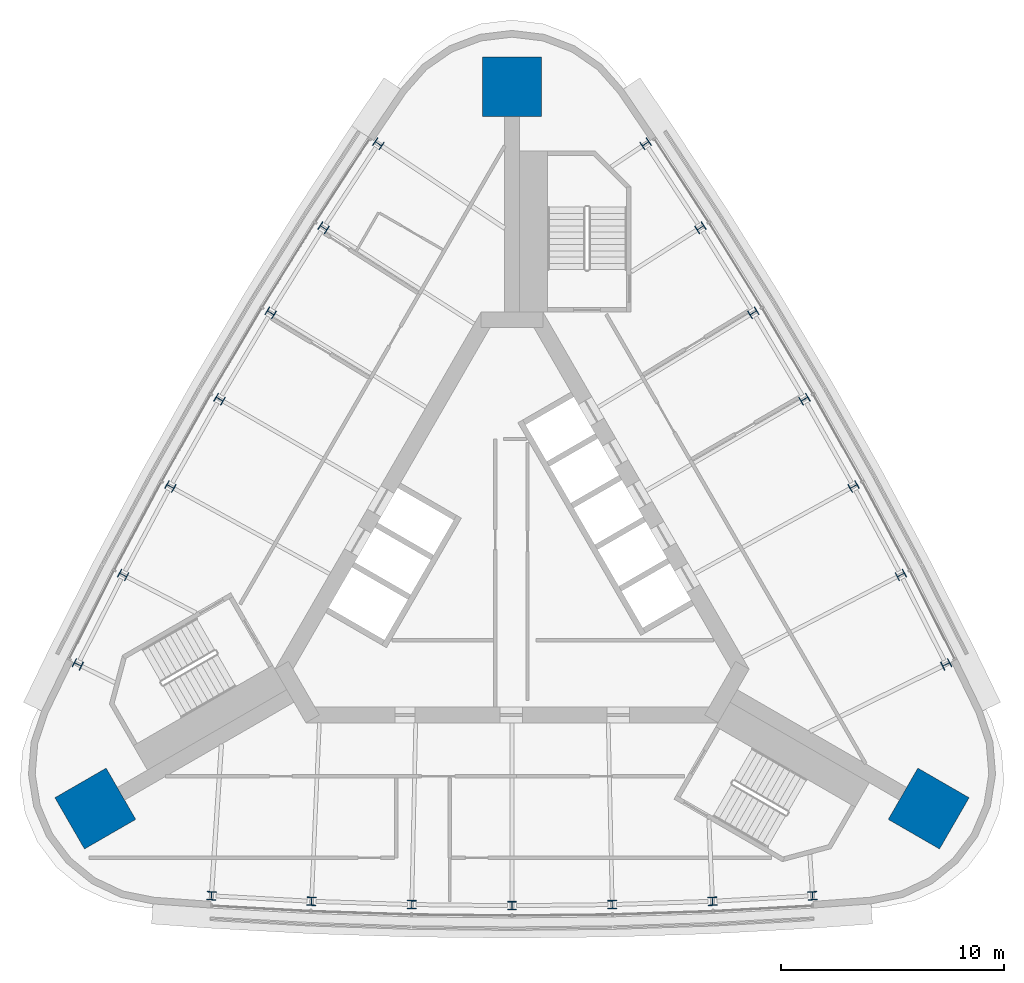
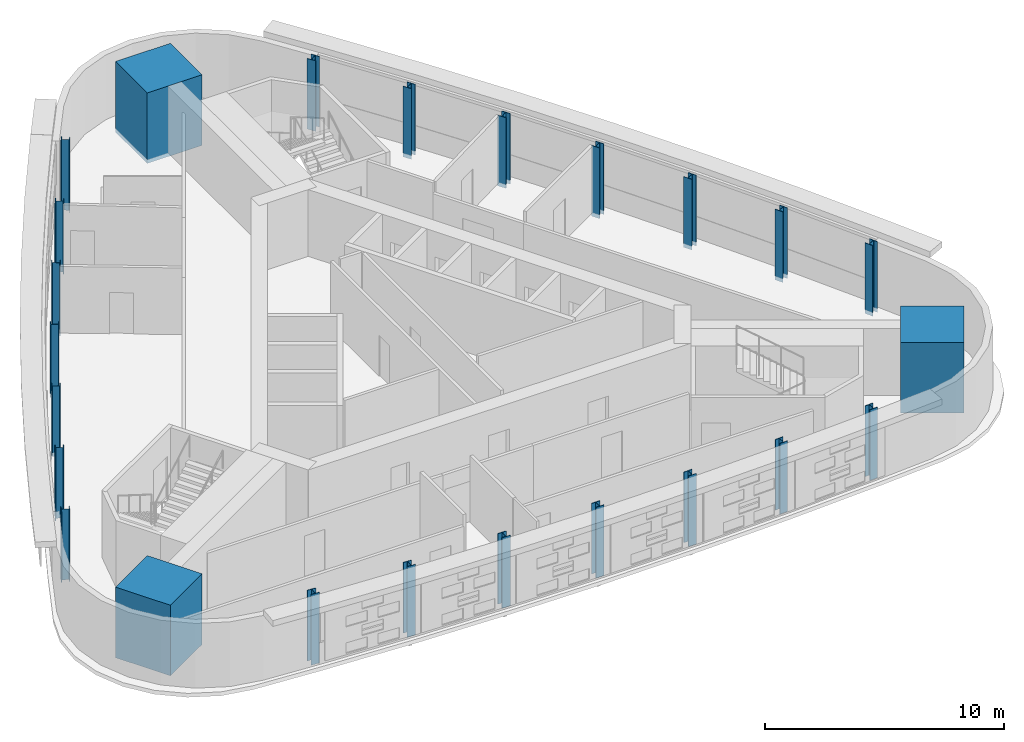
# One storey, part 1 of 11: 24 columns.
"""IFC4 building model written with IfcOpenShell, lengths in metres."""

from ifc_helpers import new_model, si_unit, direction, frame, origin, origin_2d, place, context, subcontext, project, spatial, rectangle, i_section, extrude, material, material_profile, profile_set, type_object, element, save


model = new_model("IFC4")

# Units and contexts
model_context = context("Model", 3, precision=1e-05, world=origin(), true_north=direction((0.0, 1.0)))
body_context = subcontext(model_context, "Body", "Model", "MODEL_VIEW")
ifc_project = project(units=[si_unit("LENGTHUNIT", "METRE"), si_unit("AREAUNIT", "SQUARE_METRE"), si_unit("VOLUMEUNIT", "CUBIC_METRE"), si_unit("PLANEANGLEUNIT", "RADIAN"), si_unit("MASSUNIT", "GRAM", prefix="KILO")], contexts=[model_context])

# Site, building, storey
site_placement = place(None, origin())
site = spatial("IfcSite", under=ifc_project, at=site_placement, CompositionType="ELEMENT")
building_placement = place(site_placement, origin())
building = spatial("IfcBuilding", under=site, at=building_placement, Name="Noor Cloister Tower", CompositionType="ELEMENT")
storey_placement = place(building_placement, frame((0.0, 0.0, 203.10009765625)))
storey = spatial("IfcBuildingStorey", under=building, at=storey_placement, Name="L52", CompositionType="ELEMENT", Elevation=203.10009765625)

# Columns
ifc_material_1 = material(Name="Steel ASTM A992 Gr 50", Category="steel")
ifc_material_profile_1 = material_profile(ifc_material_1, i_section(OverallWidth=0.39404296875, OverallDepth=0.3759765625, WebThickness=0.017333984375, FlangeThickness=0.027587890625, FilletRadius=0.01513671875, at=origin_2d()), Name="W360x216")
ifc_profile_set_1 = profile_set([ifc_material_profile_1], Name="Steel ASTM A992 Gr 50")
column_type_1 = type_object("IfcColumnType", Name="Column W360x216", PredefinedType="COLUMN", material=ifc_profile_set_1)
for number, where, z_axis, x_axis, name in (
    (1, (-5.981689453125, 18.989013671875, -0.2001953125), (0.0, 0.0, 1.0), (-0.55575688137, -0.831344867555, 0.0), "Column NW 01 L52"),
    (2, (-8.434814453125, 15.231201171875, -0.2001953125), (0.0, 0.0, 1.0), (-0.537425828173, -0.843311021636, 0.0), "Column NW 02 L52"),
    (3, (-10.80517578125, 11.420166015625, -0.2001953125), (0.0, 0.0, 1.0), (-0.51883723173, -0.854873047283, 0.0), "Column NW 03 L52"),
    (4, (-13.091552734375, 7.558349609375, -0.2001953125), (0.0, 0.0, 1.0), (-0.5, -0.866025403784, 0.0), "Column NW 04 L52"),
    (5, (-15.292724609375, 3.6474609375, -0.2001953125), (0.0, 0.0, 1.0), (-0.480923160093, -0.876762746749, 0.0), "Column NW 05 L52"),
    (6, (-17.407958984375, -0.310791015625, -0.2001953125), (0.0, 0.0, 1.0), (-0.461615853941, -0.887079930666, 0.0), "Column NW 06 L52"),
    (7, (-19.43603515625, -4.314208984375, -0.2001953125), (0.0, 0.0, 1.0), (-0.442087333923, -0.896972011372, 0.0), "Column NW 07 L52"),
    (8, (-13.4541015625, -14.6748046875, -0.2001953125), (0.0, 0.0, 1.0), (0.997844215293, -0.065627143817, 0.0), "Column S 01 L52"),
    (9, (-8.97314453125, -14.92041015625, -0.2001953125), (0.0, 0.0, 1.0), (0.999041682115, -0.04376890903, 0.0), "Column S 02 L52"),
    (10, (-4.487548828125, -15.067626953125, -0.2001953125), (0.0, 0.0, 1.0), (0.999760391823, -0.021889699466, 0.0), "Column S 03 L52"),
    (11, (0.0, -15.116943359375, -0.2001953125), (0.0, 0.0, 1.0), (1.0, 0.0, 0.0), "Column S 04 L52"),
    (12, (4.487548828125, -15.067626953125, -0.2001953125), (0.0, 0.0, 1.0), (0.999760391823, 0.021889699466, 0.0), "Column S 05 L52"),
    (13, (8.97314453125, -14.92041015625, -0.2001953125), (0.0, 0.0, 1.0), (0.999041682115, 0.04376890903, 0.0), "Column S 06 L52"),
    (14, (13.4541015625, -14.6748046875, -0.2001953125), (0.0, 0.0, 1.0), (0.997844215293, 0.065627143817, 0.0), "Column S 07 L52"),
    (15, (19.43603515625, -4.314208984375, -0.2001953125), (0.0, 0.0, 1.0), (-0.442087333923, 0.896972011372, 0.0), "Column NE 01 L52"),
    (16, (17.407958984375, -0.310791015625, -0.2001953125), (0.0, 0.0, 1.0), (-0.461615853941, 0.887079930666, 0.0), "Column NE 02 L52"),
    (17, (15.292724609375, 3.6474609375, -0.2001953125), (0.0, 0.0, 1.0), (-0.480923160093, 0.876762746749, 0.0), "Column NE 03 L52"),
    (18, (13.091552734375, 7.558349609375, -0.2001953125), (0.0, 0.0, 1.0), (-0.5, 0.866025403784, 0.0), "Column NE 04 L52"),
    (19, (10.80517578125, 11.420166015625, -0.2001953125), (0.0, 0.0, 1.0), (-0.51883723173, 0.854873047283, 0.0), "Column NE 05 L52"),
    (20, (8.434814453125, 15.231201171875, -0.2001953125), (0.0, 0.0, 1.0), (-0.537425828173, 0.843311021636, 0.0), "Column NE 06 L52"),
    (21, (5.981689453125, 18.989013671875, -0.2001953125), (0.0, 0.0, 1.0), (-0.55575688137, 0.831344867555, 0.0), "Column NE 07 L52"),
):
    element("IfcColumn", number, at=place(storey_placement, frame(where, z_axis=z_axis, x_axis=x_axis)), inside=storey, type_object=column_type_1, Name=name, PredefinedType="COLUMN", context=body_context, shape_type="SweptSolid", body=[
        extrude(i_section(OverallWidth=0.39404296875, OverallDepth=0.3759765625, WebThickness=0.017333984375, FlangeThickness=0.027587890625, FilletRadius=0.01513671875, at=origin_2d()), origin(), (0.0, 0.0, 1.0), 3.60009765625),
    ])
ifc_material_2 = material(Name="Concrete C70/85", Category="concrete")
ifc_material_profile_2 = material_profile(ifc_material_2, rectangle(XDim=2.64990234375, YDim=2.64990234375, at=origin_2d()), Name="RC 2650x2650")
ifc_profile_set_2 = profile_set([ifc_material_profile_2], Name="Concrete C70/85")
column_type_2 = type_object("IfcColumnType", Name="Corner pier 2650 x 2650 C70/85", PredefinedType="COLUMN", material=ifc_profile_set_2)
for number, where, z_axis, x_axis, name in (
    (22, (0.0, 21.5390625, -0.2001953125), (0.0, 0.0, 1.0), (0.0, 1.0, 0.0), "Corner pier N L52"),
    (23, (-18.6533203125, -10.76953125, -0.2001953125), (0.0, 0.0, 1.0), (-0.866025403784, -0.5, 0.0), "Corner pier SW L52"),
    (24, (18.6533203125, -10.76953125, -0.2001953125), (0.0, 0.0, 1.0), (0.866025403784, -0.5, 0.0), "Corner pier SE L52"),
):
    element("IfcColumn", number, at=place(storey_placement, frame(where, z_axis=z_axis, x_axis=x_axis)), inside=storey, type_object=column_type_2, Name=name, PredefinedType="COLUMN", context=body_context, shape_type="SweptSolid", body=[
        extrude(rectangle(XDim=2.64990234375, YDim=2.64990234375, at=origin_2d()), origin(), (0.0, 0.0, 1.0), 3.60009765625),
    ])

save(model, "model.ifc")
